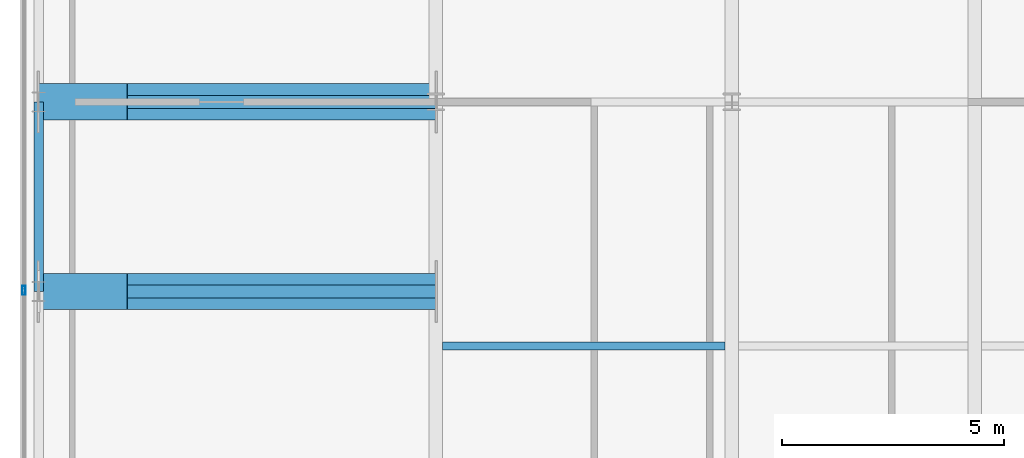
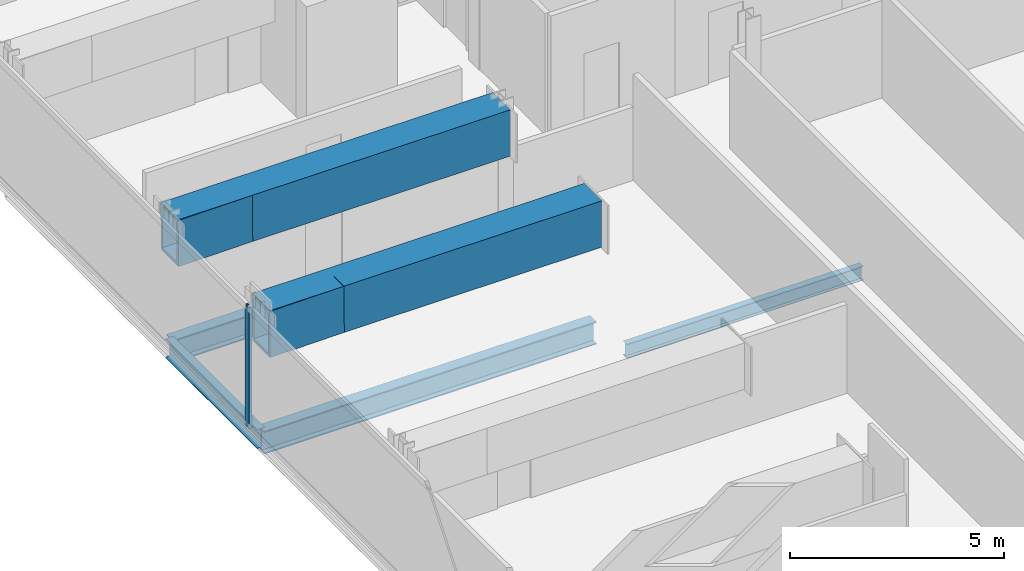
# One storey, part 9 of 26: 8 beams, 1 member, 1 element without a shape of its own.
"""IFC4 building model written with IfcOpenShell, lengths in metres."""

from ifc_helpers import new_model, si_unit, direction, frame, origin, origin_2d, place, context, subcontext, project, spatial, hollow_rectangle, i_section, extrude, material, material_profile, profile_set, type_object, element, aggregate, save


model = new_model("IFC4")

# Units and contexts
model_context = context("Model", 3, precision=1e-05, world=origin(), true_north=direction((0.0, 1.0)))
body_context = subcontext(model_context, "Body", "Model", "MODEL_VIEW")
ifc_project = project(units=[si_unit("LENGTHUNIT", "METRE"), si_unit("AREAUNIT", "SQUARE_METRE"), si_unit("VOLUMEUNIT", "CUBIC_METRE"), si_unit("PLANEANGLEUNIT", "RADIAN"), si_unit("MASSUNIT", "GRAM", prefix="KILO")], contexts=[model_context])

# Site, building, storey
site_placement = place(None, origin())
site = spatial("IfcSite", under=ifc_project, at=site_placement, CompositionType="ELEMENT")
building_placement = place(site_placement, origin())
building = spatial("IfcBuilding", under=site, at=building_placement, Name="Khoronbel Lancet Exchange", CompositionType="ELEMENT")
storey_placement = place(building_placement, frame((0.0, 0.0, 287.800048828125)))
storey = spatial("IfcBuildingStorey", under=building, at=storey_placement, Name="L74", CompositionType="ELEMENT", Elevation=287.800048828125)

# Beams
ifc_material_1 = material(Name="Steel S355", Category="steel")
ifc_material_profile_1 = material_profile(ifc_material_1, i_section(OverallWidth=0.300048828125, OverallDepth=0.64990234375, WebThickness=0.01611328125, FlangeThickness=0.031005859375, at=origin_2d()), Name="HEB 650")
ifc_profile_set_1 = profile_set([ifc_material_profile_1], Name="Steel S355")
beam_type_1 = type_object("IfcBeamType", Name="BM-BG4", PredefinedType="BEAM", material=ifc_profile_set_1)
for number, where, z_axis, x_axis, name in (
    (1, (9.27001953125, 31.425048828125, -0.485107421875), (1.0, 0.0, 0.0), (0.0, 1.0, 0.0), "Level L74 west lens tie girder LG2W"),
    (2, (9.27001953125, 35.699951171875, -0.485107421875), (1.0, 0.0, 0.0), (0.0, 1.0, 0.0), "Level L74 west lens tie girder LG4W"),
):
    element("IfcBeam", number, at=place(storey_placement, frame(where, z_axis=z_axis, x_axis=x_axis)), inside=storey, type_object=beam_type_1, Name=name, PredefinedType="BEAM", context=body_context, shape_type="SweptSolid", body=[
        extrude(i_section(OverallWidth=0.300048828125, OverallDepth=0.64990234375, WebThickness=0.01611328125, FlangeThickness=0.031005859375, at=origin_2d()), origin(), (0.0, 0.0, 1.0), 8.955078125),
    ])
ifc_material_profile_2 = material_profile(ifc_material_1, i_section(OverallWidth=0.179931640625, OverallDepth=0.39990234375, WebThickness=0.008544921875, FlangeThickness=0.013427734375, at=origin_2d()), Name="IPE 400")
ifc_profile_set_2 = profile_set([ifc_material_profile_2], Name="Steel S355")
beam_type_2 = type_object("IfcBeamType", Name="BM-BJ5", PredefinedType="JOIST", material=ifc_profile_set_2)
beam_1_placement = place(storey_placement, frame((18.375, 30.199951171875, -0.360107421875), z_axis=(1.0, 0.0, 0.0), x_axis=(0.0, 1.0, 0.0)))
element("IfcBeam", 3, at=beam_1_placement, inside=storey, type_object=beam_type_2, Name="Level L74 secondary composite joist J11", PredefinedType="JOIST", context=body_context, shape_type="SweptSolid", body=[
    extrude(i_section(OverallWidth=0.179931640625, OverallDepth=0.39990234375, WebThickness=0.008544921875, FlangeThickness=0.013427734375, at=origin_2d()), origin(), (0.0, 0.0, 1.0), 6.375),
])
ifc_material_profile_3 = material_profile(ifc_material_1, i_section(OverallWidth=0.2099609375, OverallDepth=0.550048828125, WebThickness=0.010986328125, FlangeThickness=0.01708984375, at=origin_2d()), Name="IPE 550")
ifc_profile_set_3 = profile_set([ifc_material_profile_3], Name="Steel S355")
beam_type_3 = type_object("IfcBeamType", Name="BM-BSP3", PredefinedType="SPANDREL", material=ifc_profile_set_3)
beam_2_placement = place(storey_placement, frame((9.27001953125, 35.699951171875, -0.43505859375), z_axis=(0.0, -1.0, 0.0), x_axis=(1.0, 0.0, 0.0)))
element("IfcBeam", 4, at=beam_2_placement, inside=storey, type_object=beam_type_3, Name="Level L74 perimeter spandrel beam SP18", PredefinedType="SPANDREL", context=body_context, shape_type="SweptSolid", body=[
    extrude(i_section(OverallWidth=0.2099609375, OverallDepth=0.550048828125, WebThickness=0.010986328125, FlangeThickness=0.01708984375, at=origin_2d()), origin(), (0.0, 0.0, 1.0), 4.27490234375),
])
ifc_material_2 = material(Name="Steel S460", Category="steel")
ifc_material_profile_4 = material_profile(ifc_material_2, hollow_rectangle(XDim=0.820068359375, YDim=1.320068359375, WallThickness=0.070068359375, at=origin_2d()), Name="BOX 820x1320x70")
ifc_profile_set_4 = profile_set([ifc_material_profile_4], Name="Steel S460")
beam_type_4 = type_object("IfcBeamType", Name="BM-TG4", PredefinedType="USERDEFINED", material=ifc_profile_set_4)
for number, where, z_axis, x_axis, name in (
    (5, (9.27001953125, 31.425048828125, 2.760009765625), (0.99994990606, 0.0, 0.010009264196), (0.0, 1.0, 0.0), "Setback transfer knee-brace girder L74-WC-M"),
    (6, (9.27001953125, 35.699951171875, 2.760009765625), (0.99994990606, 0.0, 0.010009264196), (0.0, 1.0, 0.0), "Setback transfer knee-brace girder L74-WC-3"),
):
    element("IfcBeam", number, at=place(storey_placement, frame(where, z_axis=z_axis, x_axis=x_axis)), inside=storey, type_object=beam_type_4, Name=name, ObjectType="TRANSFER GIRDER", PredefinedType="USERDEFINED", context=body_context, shape_type="SweptSolid", body=[
        extrude(hollow_rectangle(XDim=0.820068359375, YDim=1.320068359375, WallThickness=0.070068359375, at=origin_2d()), origin(), (0.0, 0.0, 1.0), 2.0),
    ])
for number, where, z_axis, x_axis, name in (
    (7, (9.27001953125, 31.425048828125, 2.780029296875), (1.0, 0.0, 0.0), (0.0, 1.0, 0.0), "Lens setback S460 transfer girder L74-W3"),
    (8, (9.27001953125, 35.699951171875, 2.780029296875), (1.0, 0.0, 0.0), (0.0, 1.0, 0.0), "Lens setback S460 transfer girder L74-W4"),
):
    element("IfcBeam", number, at=place(storey_placement, frame(where, z_axis=z_axis, x_axis=x_axis)), inside=storey, type_object=beam_type_4, Name=name, ObjectType="TRANSFER GIRDER", PredefinedType="USERDEFINED", context=body_context, shape_type="SweptSolid", body=[
        extrude(hollow_rectangle(XDim=0.820068359375, YDim=1.320068359375, WallThickness=0.070068359375, at=origin_2d()), origin(), (0.0, 0.0, 1.0), 8.955078125),
    ])

# Curtain wall, member
ifc_material_3 = material(Name="Low-E Solar Control Insulating Glass", Category="glass")
curtain_wall_type = type_object("IfcCurtainWallType", Name="CW-4", PredefinedType="NOTDEFINED", material=ifc_material_3)
curtain_wall_placement = place(storey_placement, origin())
curtain_wall = element("IfcCurtainWall", 9, at=curtain_wall_placement, inside=storey, type_object=curtain_wall_type, Name="Unitised curtain wall CW-L74-E03", PredefinedType="NOTDEFINED")
ifc_material_4 = material(Name="Bronze-Anodised Aluminium 6063-T6", Category="aluminium")
ifc_material_profile_5 = material_profile(ifc_material_4, hollow_rectangle(XDim=0.074951171875, YDim=0.199951171875, WallThickness=0.0048828125, at=origin_2d()), Name="ALU MULLION 75x200")
ifc_profile_set_5 = profile_set([ifc_material_profile_5], Name="Bronze-Anodised Aluminium 6063-T6")
member_type = type_object("IfcMemberType", Name="MEM-CWM2", PredefinedType="MULLION", material=ifc_profile_set_5)
member_placement = place(storey_placement, frame((8.93994140625, 31.449951171875, 0.0), z_axis=(0.0, 0.0, 1.0), x_axis=(-1.0, 0.0, 0.0)))
member = element("IfcMember", 10, at=member_placement, type_object=member_type, Name="CW4 mullion 2", PredefinedType="MULLION", context=body_context, shape_type="SweptSolid", body=[
    extrude(hollow_rectangle(XDim=0.074951171875, YDim=0.199951171875, WallThickness=0.0048828125, at=origin_2d()), origin(), (0.0, 0.0, 1.0), 3.43994140625),
])
aggregate(curtain_wall, [member])

save(model, "model.ifc")
